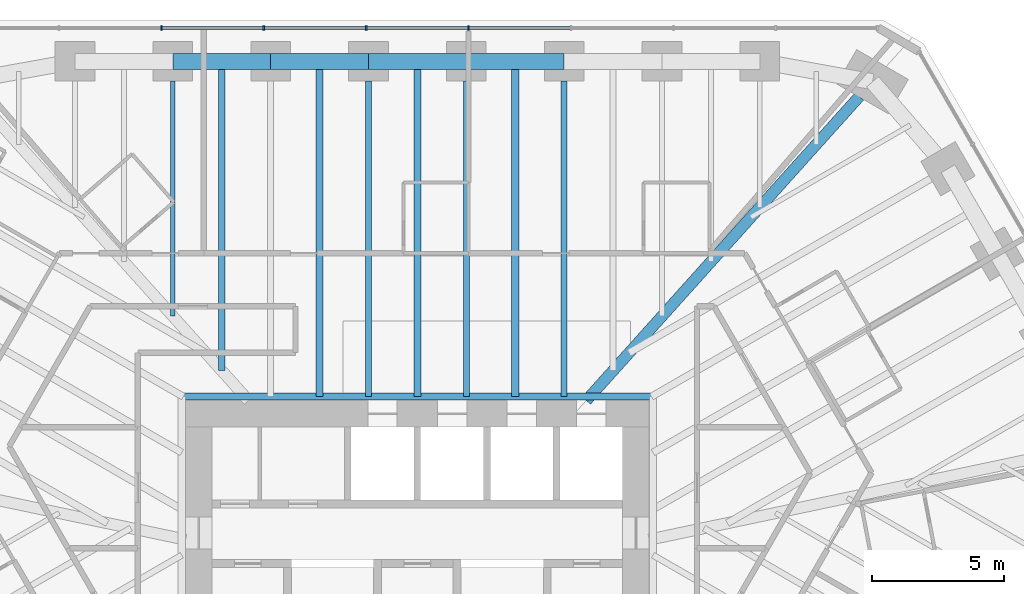
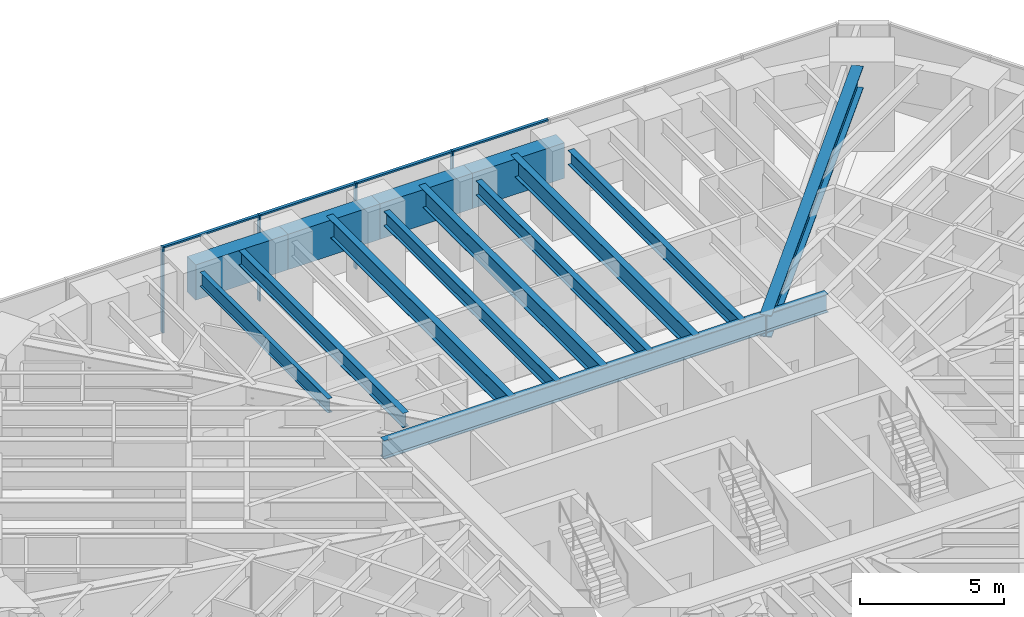
# One storey, part 8 of 16: 14 beams, 8 members, 1 element without a shape of its own.
"""IFC4 building model written with IfcOpenShell, lengths in metres."""

from ifc_helpers import new_model, si_unit, direction, frame, origin, origin_2d, place, context, subcontext, project, spatial, rectangle, i_section, extrude, material, material_profile, profile_set, type_object, element, aggregate, save


model = new_model("IFC4")

# Units and contexts
model_context = context("Model", 3, precision=1e-05, world=origin(), true_north=direction((0.0, 1.0)))
body_context = subcontext(model_context, "Body", "Model", "MODEL_VIEW")
ifc_project = project(units=[si_unit("LENGTHUNIT", "METRE"), si_unit("AREAUNIT", "SQUARE_METRE"), si_unit("VOLUMEUNIT", "CUBIC_METRE"), si_unit("PLANEANGLEUNIT", "RADIAN"), si_unit("MASSUNIT", "GRAM", prefix="KILO")], contexts=[model_context])

# Site, building, storey
site_placement = place(None, origin())
site = spatial("IfcSite", under=ifc_project, at=site_placement, CompositionType="ELEMENT")
building_placement = place(site_placement, origin())
building = spatial("IfcBuilding", under=site, at=building_placement, Name="Sandreach Pilgrim Tower", CompositionType="ELEMENT")
storey_placement = place(building_placement, frame((0.0, 0.0, 206.0)))
storey = spatial("IfcBuildingStorey", under=building, at=storey_placement, Name="L51", CompositionType="ELEMENT", Elevation=206.0)

# Curtain wall, members
ifc_material_1 = material(Name="Aluminium framed curtain wall", Category="aluminium")
curtain_wall_type = type_object("IfcCurtainWallType", Name="Upper hotel tower curtain wall", PredefinedType="NOTDEFINED", material=ifc_material_1)
curtain_wall_placement = place(storey_placement, origin())
curtain_wall = element("IfcCurtainWall", 1, at=curtain_wall_placement, inside=storey, type_object=curtain_wall_type, Name="CW-3 L51 N", PredefinedType="NOTDEFINED")
ifc_material_2 = material(Name="Aluminium extrusion", Category="aluminium")
ifc_material_profile_1 = material_profile(ifc_material_2, rectangle(XDim=0.06494140625, YDim=0.159912109375, at=origin_2d()), Name="CW-3M 65X160")
ifc_profile_set_1 = profile_set([ifc_material_profile_1], Name="Aluminium extrusion")
member_type_1 = type_object("IfcMemberType", Name="CW-3 mullion", PredefinedType="MULLION", material=ifc_profile_set_1)
member_1_placement = place(storey_placement, frame((-9.6611328125, 21.16015625, 0.0), z_axis=(0.0, 0.0, 1.0), x_axis=(1.0, 0.0, 0.0)))
member_1 = element("IfcMember", 2, at=member_1_placement, type_object=member_type_1, Name="CW-3 mullion 3", PredefinedType="MULLION", context=body_context, shape_type="SweptSolid", body=[
    extrude(rectangle(XDim=0.06494140625, YDim=0.159912109375, at=origin_2d()), origin(), (0.0, 0.0, 1.0), 3.639892578125),
])
member_2_placement = place(storey_placement, frame((-5.796630859375, 21.16015625, 0.0), z_axis=(0.0, 0.0, 1.0), x_axis=(1.0, 0.0, 0.0)))
member_2 = element("IfcMember", 3, at=member_2_placement, type_object=member_type_1, Name="CW-3 mullion 4", PredefinedType="MULLION", context=body_context, shape_type="SweptSolid", body=[
    extrude(rectangle(XDim=0.06494140625, YDim=0.159912109375, at=origin_2d()), origin(), (0.0, 0.0, 1.0), 3.639892578125),
])
member_3_placement = place(storey_placement, frame((-1.93212890625, 21.16015625, 0.0), z_axis=(0.0, 0.0, 1.0), x_axis=(1.0, 0.0, 0.0)))
member_3 = element("IfcMember", 4, at=member_3_placement, type_object=member_type_1, Name="CW-3 mullion 5", PredefinedType="MULLION", context=body_context, shape_type="SweptSolid", body=[
    extrude(rectangle(XDim=0.06494140625, YDim=0.159912109375, at=origin_2d()), origin(), (0.0, 0.0, 1.0), 3.639892578125),
])
member_4_placement = place(storey_placement, frame((1.93212890625, 21.16015625, 0.0), z_axis=(0.0, 0.0, 1.0), x_axis=(1.0, 0.0, 0.0)))
member_4 = element("IfcMember", 5, at=member_4_placement, type_object=member_type_1, Name="CW-3 mullion 6", PredefinedType="MULLION", context=body_context, shape_type="SweptSolid", body=[
    extrude(rectangle(XDim=0.06494140625, YDim=0.159912109375, at=origin_2d()), origin(), (0.0, 0.0, 1.0), 3.639892578125),
])
ifc_material_3 = material(Name="Aluminium extrusion", Category="aluminium")
ifc_material_profile_2 = material_profile(ifc_material_3, rectangle(XDim=0.1201171875, YDim=0.070068359375, at=origin_2d()), Name="CW-3T 120X70")
ifc_profile_set_2 = profile_set([ifc_material_profile_2], Name="Aluminium extrusion")
member_type_2 = type_object("IfcMemberType", Name="CW-3 transom", PredefinedType="USERDEFINED", material=ifc_profile_set_2)
member_5_placement = place(storey_placement, frame((-9.628662109375, 21.16015625, 3.60498046875), z_axis=(1.0, 0.0, 0.0), x_axis=(0.0, 1.0, 0.0)))
member_5 = element("IfcMember", 6, at=member_5_placement, type_object=member_type_2, Name="CW-3 head transom 3", ObjectType="TRANSOM", PredefinedType="USERDEFINED", context=body_context, shape_type="SweptSolid", body=[
    extrude(rectangle(XDim=0.1201171875, YDim=0.070068359375, at=origin_2d()), origin(), (0.0, 0.0, 1.0), 3.799560546875),
])
member_6_placement = place(storey_placement, frame((-5.76416015625, 21.16015625, 3.60498046875), z_axis=(1.0, 0.0, 0.0), x_axis=(0.0, 1.0, 0.0)))
member_6 = element("IfcMember", 7, at=member_6_placement, type_object=member_type_2, Name="CW-3 head transom 4", ObjectType="TRANSOM", PredefinedType="USERDEFINED", context=body_context, shape_type="SweptSolid", body=[
    extrude(rectangle(XDim=0.1201171875, YDim=0.070068359375, at=origin_2d()), origin(), (0.0, 0.0, 1.0), 3.799560546875),
])
member_7_placement = place(storey_placement, frame((-1.899658203125, 21.16015625, 3.60498046875), z_axis=(1.0, 0.0, 0.0), x_axis=(0.0, 1.0, 0.0)))
member_7 = element("IfcMember", 8, at=member_7_placement, type_object=member_type_2, Name="CW-3 head transom 5", ObjectType="TRANSOM", PredefinedType="USERDEFINED", context=body_context, shape_type="SweptSolid", body=[
    extrude(rectangle(XDim=0.1201171875, YDim=0.070068359375, at=origin_2d()), origin(), (0.0, 0.0, 1.0), 3.79931640625),
])
member_8_placement = place(storey_placement, frame((1.964599609375, 21.16015625, 3.60498046875), z_axis=(1.0, 0.0, 0.0), x_axis=(0.0, 1.0, 0.0)))
member_8 = element("IfcMember", 9, at=member_8_placement, type_object=member_type_2, Name="CW-3 head transom 6", ObjectType="TRANSOM", PredefinedType="USERDEFINED", context=body_context, shape_type="SweptSolid", body=[
    extrude(rectangle(XDim=0.1201171875, YDim=0.070068359375, at=origin_2d()), origin(), (0.0, 0.0, 1.0), 3.799560546875),
])
aggregate(curtain_wall, [member_1, member_2, member_3, member_4, member_5, member_6, member_7, member_8])

# Beams
ifc_material_4 = material(Name="Steel ASTM A992 Grade 50", Category="steel")
ifc_material_profile_3 = material_profile(ifc_material_4, i_section(OverallWidth=0.2666015625, OverallDepth=0.77978515625, WebThickness=0.0166015625, FlangeThickness=0.030029296875, at=origin_2d()), Name="W30X148")
ifc_profile_set_3 = profile_set([ifc_material_profile_3], Name="Steel ASTM A992 Grade 50")
beam_type_1 = type_object("IfcBeamType", Name="Core edge beam W30X148", PredefinedType="BEAM", material=ifc_profile_set_3)
beam_1_placement = place(storey_placement, frame((-8.893310546875, 7.243408203125, 3.25), z_axis=(1.0, 0.0, 0.0), x_axis=(0.0, 1.0, 0.0)))
element("IfcBeam", 10, at=beam_1_placement, inside=storey, type_object=beam_type_1, Name="BM L51 CEN", PredefinedType="BEAM", context=body_context, shape_type="SweptSolid", body=[
    extrude(i_section(OverallWidth=0.2666015625, OverallDepth=0.77978515625, WebThickness=0.0166015625, FlangeThickness=0.030029296875, at=origin_2d()), origin(), (0.0, 0.0, 1.0), 17.78662109375),
])
ifc_material_5 = material(Name="Steel ASTM A992 Grade 50", Category="steel")
ifc_material_profile_4 = material_profile(ifc_material_5, i_section(OverallWidth=0.421630859375, OverallDepth=0.937255859375, WebThickness=0.0224609375, FlangeThickness=0.039794921875, at=origin_2d()), Name="W36X282")
ifc_profile_set_4 = profile_set([ifc_material_profile_4], Name="Steel ASTM A992 Grade 50")
beam_type_2 = type_object("IfcBeamType", Name="Corner girder W36X282", PredefinedType="BEAM", material=ifc_profile_set_4)
beam_2_placement = place(storey_placement, frame((16.677001953125, 18.572509765625, 3.17138671875), z_axis=(-0.668116607722, -0.744056582853, 0.0), x_axis=(0.744056582853, -0.668116607722, 0.0)))
element("IfcBeam", 11, at=beam_2_placement, inside=storey, type_object=beam_type_2, Name="BM L51 CG09", PredefinedType="BEAM", context=body_context, shape_type="SweptSolid", body=[
    extrude(i_section(OverallWidth=0.421630859375, OverallDepth=0.937255859375, WebThickness=0.0224609375, FlangeThickness=0.039794921875, at=origin_2d()), origin(), (0.0, 0.0, 1.0), 15.418701171875),
])
ifc_material_6 = material(Name="Steel ASTM A992 Grade 50", Category="steel")
ifc_material_profile_5 = material_profile(ifc_material_6, i_section(OverallWidth=0.1787109375, OverallDepth=0.60205078125, WebThickness=0.010986328125, FlangeThickness=0.014892578125, at=origin_2d()), Name="W24X62")
ifc_profile_set_5 = profile_set([ifc_material_profile_5], Name="Steel ASTM A992 Grade 50")
beam_type_3 = type_object("IfcBeamType", Name="Floor beam W24X62", PredefinedType="BEAM", material=ifc_profile_set_5)
beam_3_placement = place(storey_placement, frame((-9.231201171875, 19.150146484375, 3.339111328125), z_axis=(0.0, -1.0, 0.0), x_axis=(1.0, 0.0, 0.0)))
element("IfcBeam", 12, at=beam_3_placement, inside=storey, type_object=beam_type_3, Name="BM L51 F02", PredefinedType="BEAM", context=body_context, shape_type="SweptSolid", body=[
    extrude(i_section(OverallWidth=0.1787109375, OverallDepth=0.60205078125, WebThickness=0.010986328125, FlangeThickness=0.014892578125, at=origin_2d()), origin(), (0.0, 0.0, 1.0), 8.86962890625),
])
ifc_material_7 = material(Name="Steel ASTM A992 Grade 50", Category="steel")
ifc_material_profile_6 = material_profile(ifc_material_7, i_section(OverallWidth=0.23046875, OverallDepth=0.6171875, WebThickness=0.01318359375, FlangeThickness=0.022216796875, at=origin_2d()), Name="W24X94")
ifc_profile_set_6 = profile_set([ifc_material_profile_6], Name="Steel ASTM A992 Grade 50")
beam_type_4 = type_object("IfcBeamType", Name="Floor beam W24X94", PredefinedType="BEAM", material=ifc_profile_set_6)
for number, where, z_axis, x_axis, name in (
    (13, (-1.84619140625, 19.150146484375, 3.331298828125), (0.0, -1.0, 0.0), (1.0, 0.0, 0.0), "BM L51 F04"),
    (14, (1.84619140625, 19.150146484375, 3.331298828125), (0.0, -1.0, 0.0), (1.0, 0.0, 0.0), "BM L51 F05"),
    (15, (5.538818359375, 19.150146484375, 3.331298828125), (0.0, -1.0, 0.0), (1.0, 0.0, 0.0), "BM L51 F06"),
):
    element("IfcBeam", number, at=place(storey_placement, frame(where, z_axis=z_axis, x_axis=x_axis)), inside=storey, type_object=beam_type_4, Name=name, PredefinedType="BEAM", context=body_context, shape_type="SweptSolid", body=[
        extrude(i_section(OverallWidth=0.23046875, OverallDepth=0.6171875, WebThickness=0.01318359375, FlangeThickness=0.022216796875, at=origin_2d()), origin(), (0.0, 0.0, 1.0), 11.90673828125),
    ])
beam_4_placement = place(storey_placement, frame((-7.385009765625, 19.900146484375, 3.331298828125), z_axis=(0.0, -1.0, 0.0), x_axis=(1.0, 0.0, 0.0)))
element("IfcBeam", 16, at=beam_4_placement, inside=storey, type_object=beam_type_4, Name="BM L51 FM02", PredefinedType="BEAM", context=body_context, shape_type="SweptSolid", body=[
    extrude(i_section(OverallWidth=0.23046875, OverallDepth=0.6171875, WebThickness=0.01318359375, FlangeThickness=0.022216796875, at=origin_2d()), origin(), (0.0, 0.0, 1.0), 11.67578125),
])
ifc_material_8 = material(Name="Steel ASTM A992 Grade 50", Category="steel")
ifc_material_profile_7 = material_profile(ifc_material_8, i_section(OverallWidth=0.2666015625, OverallDepth=0.761962890625, WebThickness=0.014404296875, FlangeThickness=0.021484375, at=origin_2d()), Name="W30X116")
ifc_profile_set_7 = profile_set([ifc_material_profile_7], Name="Steel ASTM A992 Grade 50")
beam_type_5 = type_object("IfcBeamType", Name="Floor beam W30X116", PredefinedType="BEAM", material=ifc_profile_set_7)
for number, where, z_axis, x_axis, name in (
    (17, (-3.6923828125, 19.900146484375, 3.259033203125), (0.0, -1.0, 0.0), (1.0, 0.0, 0.0), "BM L51 FM03"),
    (18, (0.0, 19.900146484375, 3.259033203125), (0.0, -1.0, 0.0), (1.0, 0.0, 0.0), "BM L51 FM04"),
    (19, (3.6923828125, 19.900146484375, 3.259033203125), (0.0, -1.0, 0.0), (1.0, 0.0, 0.0), "BM L51 FM05"),
):
    element("IfcBeam", number, at=place(storey_placement, frame(where, z_axis=z_axis, x_axis=x_axis)), inside=storey, type_object=beam_type_5, Name=name, PredefinedType="BEAM", context=body_context, shape_type="SweptSolid", body=[
        extrude(i_section(OverallWidth=0.2666015625, OverallDepth=0.761962890625, WebThickness=0.014404296875, FlangeThickness=0.021484375, at=origin_2d()), origin(), (0.0, 0.0, 1.0), 12.65673828125),
    ])
ifc_material_9 = material(Name="Concrete 10000 psi", Category="concrete")
ifc_material_profile_8 = material_profile(ifc_material_9, rectangle(XDim=0.60009765625, YDim=1.5, at=origin_2d()), Name="RC600X1500")
ifc_profile_set_8 = profile_set([ifc_material_profile_8], Name="Concrete 10000 psi")
beam_type_6 = type_object("IfcBeamType", Name="Spandrel beam RC600X1500", PredefinedType="SPANDREL", material=ifc_profile_set_8)
beam_5_placement = place(storey_placement, frame((-9.231201171875, 19.900146484375, 2.889892578125), z_axis=(1.0, 0.0, 0.0), x_axis=(0.0, 1.0, 0.0)))
element("IfcBeam", 20, at=beam_5_placement, inside=storey, type_object=beam_type_6, Name="BM L51 SP02", PredefinedType="SPANDREL", context=body_context, shape_type="SweptSolid", body=[
    extrude(rectangle(XDim=0.60009765625, YDim=1.5, at=origin_2d()), origin(), (0.0, 0.0, 1.0), 3.6923828125),
])
beam_6_placement = place(storey_placement, frame((-5.538818359375, 19.900146484375, 2.889892578125), z_axis=(1.0, 0.0, 0.0), x_axis=(0.0, 1.0, 0.0)))
element("IfcBeam", 21, at=beam_6_placement, inside=storey, type_object=beam_type_6, Name="BM L51 SP03", PredefinedType="SPANDREL", context=body_context, shape_type="SweptSolid", body=[
    extrude(rectangle(XDim=0.60009765625, YDim=1.5, at=origin_2d()), origin(), (0.0, 0.0, 1.0), 3.692626953125),
])
beam_7_placement = place(storey_placement, frame((-1.84619140625, 19.900146484375, 2.889892578125), z_axis=(1.0, 0.0, 0.0), x_axis=(0.0, 1.0, 0.0)))
element("IfcBeam", 22, at=beam_7_placement, inside=storey, type_object=beam_type_6, Name="BM L51 SP04", PredefinedType="SPANDREL", context=body_context, shape_type="SweptSolid", body=[
    extrude(rectangle(XDim=0.60009765625, YDim=1.5, at=origin_2d()), origin(), (0.0, 0.0, 1.0), 3.6923828125),
])
beam_8_placement = place(storey_placement, frame((1.84619140625, 19.900146484375, 2.889892578125), z_axis=(1.0, 0.0, 0.0), x_axis=(0.0, 1.0, 0.0)))
element("IfcBeam", 23, at=beam_8_placement, inside=storey, type_object=beam_type_6, Name="BM L51 SP05", PredefinedType="SPANDREL", context=body_context, shape_type="SweptSolid", body=[
    extrude(rectangle(XDim=0.60009765625, YDim=1.5, at=origin_2d()), origin(), (0.0, 0.0, 1.0), 3.692626953125),
])

save(model, "model.ifc")
